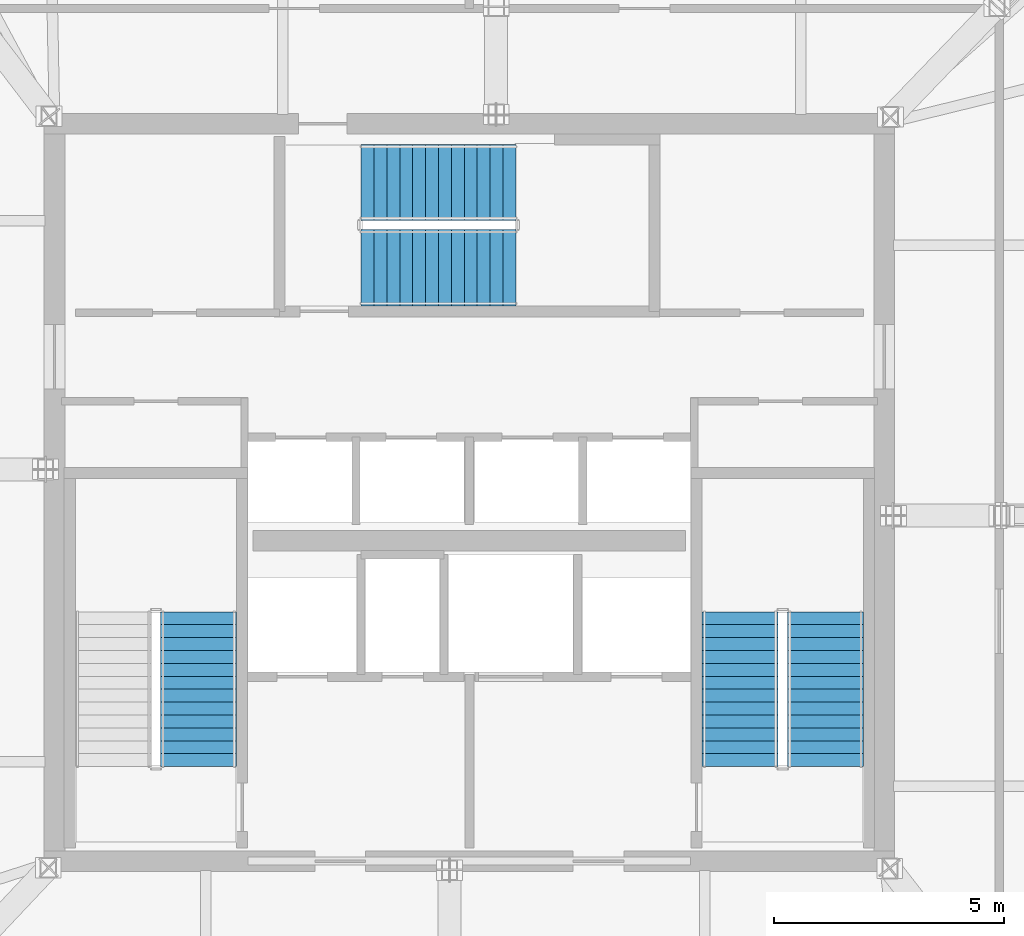
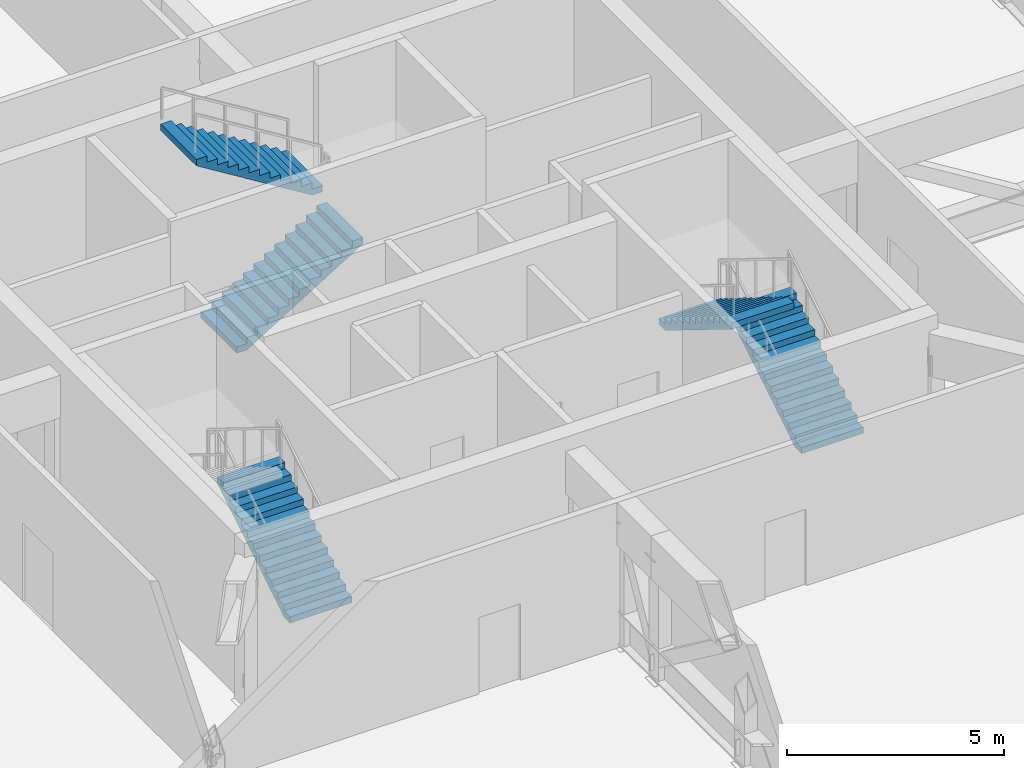
# One storey, part 12 of 15: 5 stair flights, 3 elements without a shape of their own.
"""IFC4 building model written with IfcOpenShell, lengths in metres."""

from ifc_helpers import new_model, si_unit, direction, frame, origin, place, context, subcontext, project, spatial, polyline, outline, extrude, material, type_object, element, aggregate, save


model = new_model("IFC4")

# Units and contexts
model_context = context("Model", 3, precision=1e-05, world=origin(), true_north=direction((0.0, 1.0)))
body_context = subcontext(model_context, "Body", "Model", "MODEL_VIEW")
ifc_project = project(units=[si_unit("LENGTHUNIT", "METRE"), si_unit("AREAUNIT", "SQUARE_METRE"), si_unit("VOLUMEUNIT", "CUBIC_METRE"), si_unit("PLANEANGLEUNIT", "RADIAN"), si_unit("MASSUNIT", "GRAM", prefix="KILO")], contexts=[model_context])

# Site, building, storey
site_placement = place(None, origin())
site = spatial("IfcSite", under=ifc_project, at=site_placement, CompositionType="ELEMENT")
building_placement = place(site_placement, origin())
building = spatial("IfcBuilding", under=site, at=building_placement, Name="Haldenkirk Collegiate Tower", CompositionType="ELEMENT")
storey_placement = place(building_placement, frame((0.0, 0.0, 293.699951171875)))
storey = spatial("IfcBuildingStorey", under=building, at=storey_placement, Name="L74", CompositionType="ELEMENT", Elevation=293.699951171875)

# Stair, stair flight
ifc_material = material(Name="Concrete f'c 40 MPa", Category="concrete")
stair_type = type_object("IfcStairType", Name="STR-DOGLEG-1650", PredefinedType="HALF_TURN_STAIR", material=ifc_material)
stair_1_placement = place(storey_placement, origin())
stair_1 = element("IfcStair", 1, at=stair_1_placement, inside=storey, type_object=stair_type, Name="L74 Core Exit Stair ST-1", PredefinedType="HALF_TURN_STAIR")
stair_flight_type = type_object("IfcStairFlightType", Name="STF-FLIGHT-1650", PredefinedType="STRAIGHT", material=ifc_material)
stair_flight_1_placement = place(storey_placement, frame((30.125, 20.050048828125, 0.0), z_axis=(0.0, 0.0, 1.0), x_axis=(0.0, 1.0, 0.0)))
stair_flight_1 = element("IfcStairFlight", 2, at=stair_flight_1_placement, type_object=stair_flight_type, Name="ST-1 flight 1", NumberOfRisers=13, NumberOfTreads=12, PredefinedType="STRAIGHT", RiserHeight=0.173076923, TreadLength=0.28, context=body_context, shape_type="SweptSolid", body=[
    extrude(outline(polyline([(0.0, 0.0), (0.0, 0.173095703125), (0.280029296875, 0.173095703125), (0.280029296875, 0.34619140625), (0.56005859375, 0.34619140625), (0.56005859375, 0.519287109375), (0.840087890625, 0.519287109375), (0.840087890625, 0.6923828125), (1.1201171875, 0.6923828125), (1.1201171875, 0.865478515625), (1.39990234375, 0.865478515625), (1.39990234375, 1.03857421875), (1.679931640625, 1.03857421875), (1.679931640625, 1.21142578125), (1.9599609375, 1.21142578125), (1.9599609375, 1.384521484375), (2.239990234375, 1.384521484375), (2.239990234375, 1.5576171875), (2.52001953125, 1.5576171875), (2.52001953125, 1.730712890625), (2.800048828125, 1.730712890625), (2.800048828125, 1.90380859375), (3.080078125, 1.90380859375), (3.080078125, 2.076904296875), (3.360107421875, 2.076904296875), (3.360107421875, 2.25), (3.360107421875, 1.900634765625), (0.28515625, 0.0), (0.0, 0.0)])), frame((0.0, 0.824951171875, 0.0), z_axis=(0.0, -1.0, 0.0), x_axis=(1.0, 0.0, 0.0)), (0.0, 0.0, 1.0), 1.64990234375),
])
aggregate(stair_1, [stair_flight_1])

# Stair, stair flights
stair_2_placement = place(storey_placement, origin())
stair_2 = element("IfcStair", 3, at=stair_2_placement, inside=storey, type_object=stair_type, Name="L74 Core Exit Stair ST-2", PredefinedType="HALF_TURN_STAIR")
stair_flight_2_placement = place(storey_placement, frame((43.72509765625, 20.050048828125, 0.0), z_axis=(0.0, 0.0, 1.0), x_axis=(0.0, 1.0, 0.0)))
stair_flight_2 = element("IfcStairFlight", 4, at=stair_flight_2_placement, type_object=stair_flight_type, Name="ST-2 flight 1", NumberOfRisers=13, NumberOfTreads=12, PredefinedType="STRAIGHT", RiserHeight=0.173076923, TreadLength=0.28, context=body_context, shape_type="SweptSolid", body=[
    extrude(outline(polyline([(0.0, 0.0), (0.0, 0.173095703125), (0.280029296875, 0.173095703125), (0.280029296875, 0.34619140625), (0.56005859375, 0.34619140625), (0.56005859375, 0.519287109375), (0.840087890625, 0.519287109375), (0.840087890625, 0.6923828125), (1.1201171875, 0.6923828125), (1.1201171875, 0.865478515625), (1.39990234375, 0.865478515625), (1.39990234375, 1.03857421875), (1.679931640625, 1.03857421875), (1.679931640625, 1.21142578125), (1.9599609375, 1.21142578125), (1.9599609375, 1.384521484375), (2.239990234375, 1.384521484375), (2.239990234375, 1.5576171875), (2.52001953125, 1.5576171875), (2.52001953125, 1.730712890625), (2.800048828125, 1.730712890625), (2.800048828125, 1.90380859375), (3.080078125, 1.90380859375), (3.080078125, 2.076904296875), (3.360107421875, 2.076904296875), (3.360107421875, 2.25), (3.360107421875, 1.900634765625), (0.28515625, 0.0), (0.0, 0.0)])), frame((0.0, 0.824951171875, 0.0), z_axis=(0.0, -1.0, 0.0), x_axis=(1.0, 0.0, 0.0)), (0.0, 0.0, 1.0), 1.64990234375),
])
stair_flight_3_placement = place(storey_placement, frame((41.875, 23.409912109375, 2.25), z_axis=(0.0, 0.0, 1.0), x_axis=(0.0, -1.0, 0.0)))
stair_flight_3 = element("IfcStairFlight", 5, at=stair_flight_3_placement, type_object=stair_flight_type, Name="ST-2 flight 2", NumberOfRisers=13, NumberOfTreads=12, PredefinedType="STRAIGHT", RiserHeight=0.173076923, TreadLength=0.28, context=body_context, shape_type="SweptSolid", body=[
    extrude(outline(polyline([(0.0, 0.0), (0.0, 0.173095703125), (0.280029296875, 0.173095703125), (0.280029296875, 0.34619140625), (0.56005859375, 0.34619140625), (0.56005859375, 0.519287109375), (0.840087890625, 0.519287109375), (0.840087890625, 0.6923828125), (1.1201171875, 0.6923828125), (1.1201171875, 0.865478515625), (1.39990234375, 0.865478515625), (1.39990234375, 1.03857421875), (1.679931640625, 1.03857421875), (1.679931640625, 1.21142578125), (1.9599609375, 1.21142578125), (1.9599609375, 1.384521484375), (2.239990234375, 1.384521484375), (2.239990234375, 1.5576171875), (2.52001953125, 1.5576171875), (2.52001953125, 1.730712890625), (2.800048828125, 1.730712890625), (2.800048828125, 1.90380859375), (3.080078125, 1.90380859375), (3.080078125, 2.076904296875), (3.360107421875, 2.076904296875), (3.360107421875, 2.25), (3.360107421875, 1.900634765625), (0.28515625, 0.0), (0.0, 0.0)])), frame((0.0, 0.824951171875, 0.0), z_axis=(0.0, -1.0, 0.0), x_axis=(1.0, 0.0, 0.0)), (0.0, 0.0, 1.0), 1.64990234375),
])
aggregate(stair_2, [stair_flight_2, stair_flight_3])

stair_3_placement = place(storey_placement, origin())
stair_3 = element("IfcStair", 6, at=stair_3_placement, inside=storey, type_object=stair_type, Name="L74 Core Exit Stair ST-3", PredefinedType="HALF_TURN_STAIR")
stair_flight_4_placement = place(storey_placement, frame((33.64990234375, 30.875, 0.0), z_axis=(0.0, 0.0, 1.0), x_axis=(1.0, 0.0, 0.0)))
stair_flight_4 = element("IfcStairFlight", 7, at=stair_flight_4_placement, type_object=stair_flight_type, Name="ST-3 flight 1", NumberOfRisers=13, NumberOfTreads=12, PredefinedType="STRAIGHT", RiserHeight=0.173076923, TreadLength=0.28, context=body_context, shape_type="SweptSolid", body=[
    extrude(outline(polyline([(0.0, 0.0), (0.0, 0.173095703125), (0.280029296875, 0.173095703125), (0.280029296875, 0.34619140625), (0.56005859375, 0.34619140625), (0.56005859375, 0.519287109375), (0.840087890625, 0.519287109375), (0.840087890625, 0.6923828125), (1.1201171875, 0.6923828125), (1.1201171875, 0.865478515625), (1.39990234375, 0.865478515625), (1.39990234375, 1.03857421875), (1.679931640625, 1.03857421875), (1.679931640625, 1.21142578125), (1.9599609375, 1.21142578125), (1.9599609375, 1.384521484375), (2.239990234375, 1.384521484375), (2.239990234375, 1.5576171875), (2.52001953125, 1.5576171875), (2.52001953125, 1.730712890625), (2.800048828125, 1.730712890625), (2.800048828125, 1.90380859375), (3.080078125, 1.90380859375), (3.080078125, 2.076904296875), (3.360107421875, 2.076904296875), (3.360107421875, 2.25), (3.360107421875, 1.900634765625), (0.28515625, 0.0), (0.0, 0.0)])), frame((0.0, 0.824951171875, 0.0), z_axis=(0.0, -1.0, 0.0), x_axis=(1.0, 0.0, 0.0)), (0.0, 0.0, 1.0), 1.64990234375),
])
stair_flight_5_placement = place(storey_placement, frame((37.010009765625, 32.72509765625, 2.25), z_axis=(0.0, 0.0, 1.0), x_axis=(-1.0, 0.0, 0.0)))
stair_flight_5 = element("IfcStairFlight", 8, at=stair_flight_5_placement, type_object=stair_flight_type, Name="ST-3 flight 2", NumberOfRisers=13, NumberOfTreads=12, PredefinedType="STRAIGHT", RiserHeight=0.173076923, TreadLength=0.28, context=body_context, shape_type="SweptSolid", body=[
    extrude(outline(polyline([(0.0, 0.0), (0.0, 0.173095703125), (0.280029296875, 0.173095703125), (0.280029296875, 0.34619140625), (0.56005859375, 0.34619140625), (0.56005859375, 0.519287109375), (0.840087890625, 0.519287109375), (0.840087890625, 0.6923828125), (1.1201171875, 0.6923828125), (1.1201171875, 0.865478515625), (1.39990234375, 0.865478515625), (1.39990234375, 1.03857421875), (1.679931640625, 1.03857421875), (1.679931640625, 1.21142578125), (1.9599609375, 1.21142578125), (1.9599609375, 1.384521484375), (2.239990234375, 1.384521484375), (2.239990234375, 1.5576171875), (2.52001953125, 1.5576171875), (2.52001953125, 1.730712890625), (2.800048828125, 1.730712890625), (2.800048828125, 1.90380859375), (3.080078125, 1.90380859375), (3.080078125, 2.076904296875), (3.360107421875, 2.076904296875), (3.360107421875, 2.25), (3.360107421875, 1.900634765625), (0.28515625, 0.0), (0.0, 0.0)])), frame((0.0, 0.824951171875, 0.0), z_axis=(0.0, -1.0, 0.0), x_axis=(1.0, 0.0, 0.0)), (0.0, 0.0, 1.0), 1.64990234375),
])
aggregate(stair_3, [stair_flight_4, stair_flight_5])

save(model, "model.ifc")
